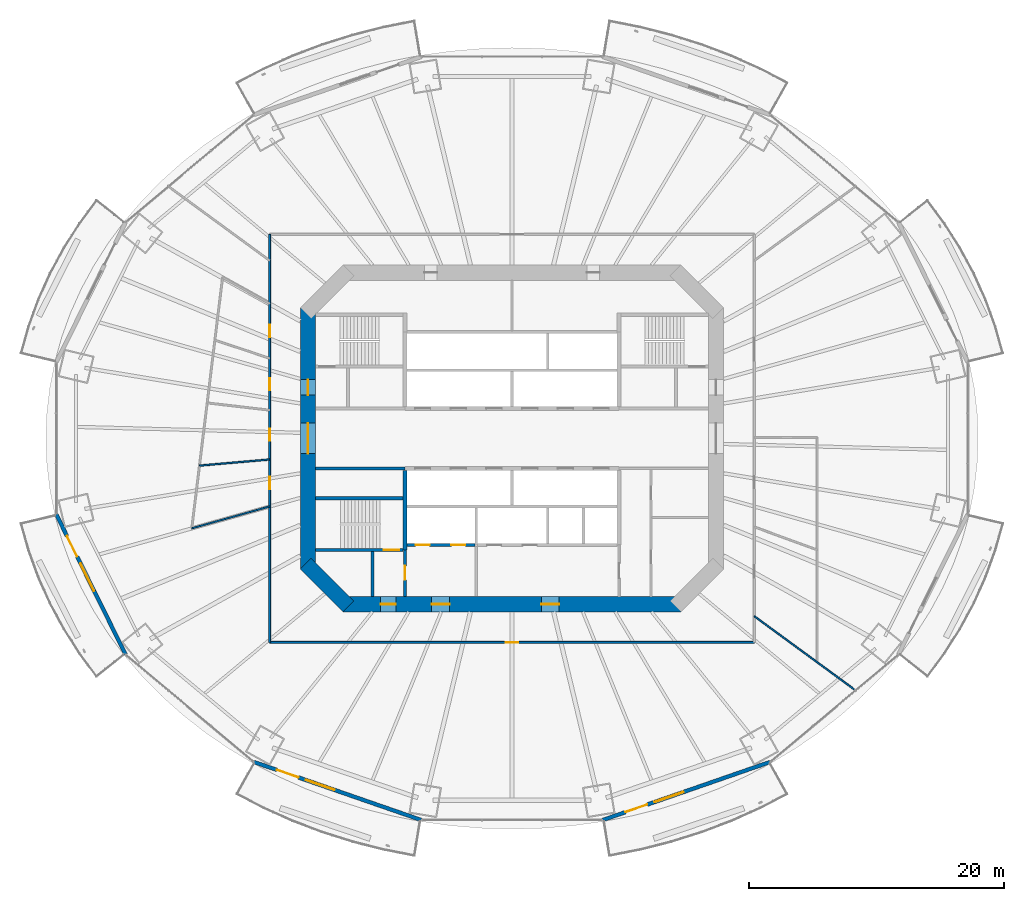
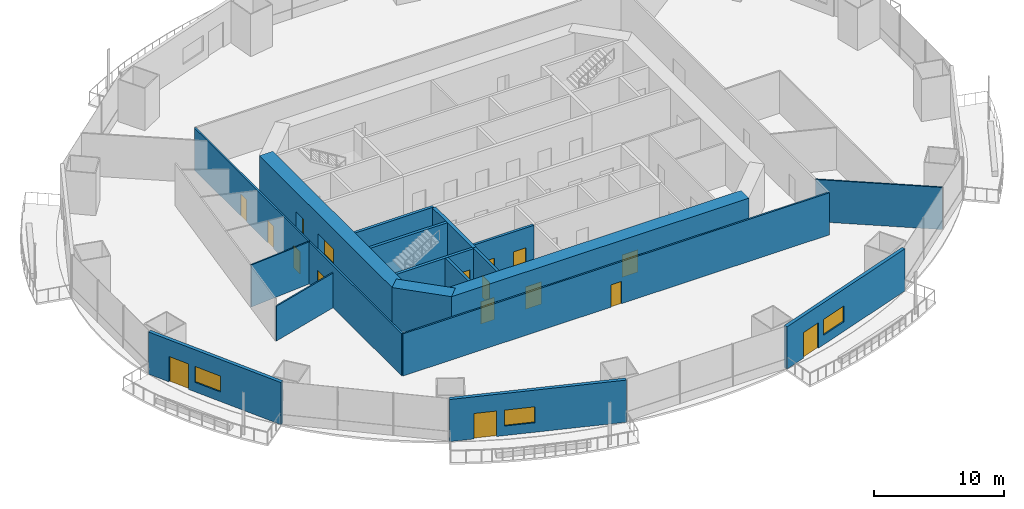
# One storey, part 14 of 23: 18 walls, 17 doors, 3 windows, 20 openings.
"""IFC4 building model written with IfcOpenShell, lengths in metres."""

from ifc_helpers import new_model, si_unit, direction, frame, frame_2d, origin, place, context, subcontext, project, spatial, rectangle, extrude, material, layer, layer_set, type_object, element, fill, save


model = new_model("IFC4")

# Units and contexts
model_context = context("Model", 3, precision=1e-05, world=origin(), true_north=direction((0.0, 1.0)))
body_context = subcontext(model_context, "Body", "Model", "MODEL_VIEW")
ifc_project = project(units=[si_unit("LENGTHUNIT", "METRE"), si_unit("AREAUNIT", "SQUARE_METRE"), si_unit("VOLUMEUNIT", "CUBIC_METRE"), si_unit("PLANEANGLEUNIT", "RADIAN"), si_unit("MASSUNIT", "GRAM", prefix="KILO")], contexts=[model_context])

# Site, building, storey
site_placement = place(None, origin())
site = spatial("IfcSite", under=ifc_project, at=site_placement, CompositionType="ELEMENT")
building_placement = place(site_placement, origin())
building = spatial("IfcBuilding", under=site, at=building_placement, Name="Marenthal Gate Tower", CompositionType="ELEMENT")
storey_placement = place(building_placement, frame((0.0, 0.0, 49.60009765625)))
storey = spatial("IfcBuildingStorey", under=building, at=storey_placement, Name="L08", CompositionType="ELEMENT", Elevation=49.60009765625)

# Wall, openings, doors
ifc_material_1 = material(Name="Concrete 60 MPa", Category="concrete")
ifc_layer_1 = layer(ifc_material_1, 1.199951171875)
ifc_layer_set_1 = layer_set([ifc_layer_1], Name="Core shear wall 1200")
wall_type_1 = type_object("IfcWallType", Name="Core shear wall 1200", PredefinedType="SHEAR", material=ifc_layer_set_1)
wall_1_placement = place(storey_placement, frame((-16.0, 10.24853515625, -0.18017578125), z_axis=(0.0, 0.0, 1.0), x_axis=(0.0, -1.0, 0.0)))
wall_1 = element("IfcWall", 1, at=wall_1_placement, inside=storey, type_object=wall_type_1, Name="Core wall 06", PredefinedType="SHEAR", context=body_context, shape_type="SweptSolid", body=[
    extrude(rectangle(XDim=20.4970703125, YDim=1.199951171875, at=frame_2d((10.24853515625, 0.0))), origin(), (0.0, 0.0, 1.0), 4.150146484375),
])
opening_1_placement = place(wall_1_placement, frame((9.048583984375, 0.0, 0.179931640625)))
opening_1 = element("IfcOpeningElement", 2, at=opening_1_placement, cuts=wall_1, Name="Opening D003.01", PredefinedType="OPENING", context=body_context, shape_type="SweptSolid", body=[
    extrude(rectangle(XDim=2.39990234375, YDim=2.10009765625, at=frame_2d((1.199951171875, 1.050048828125))), frame((0.0, 0.60986328125, 0.0), z_axis=(0.0, -1.0, 0.0), x_axis=(1.0, 0.0, 0.0)), (0.0, 0.0, 1.0), 1.219970703125),
])
opening_2_placement = place(wall_1_placement, frame((5.6484375, 0.0, 0.179931640625)))
opening_2 = element("IfcOpeningElement", 3, at=opening_2_placement, cuts=wall_1, Name="Opening D001.04", PredefinedType="OPENING", context=body_context, shape_type="SweptSolid", body=[
    extrude(rectangle(XDim=1.199951171875, YDim=2.10009765625, at=frame_2d((0.60009765625, 1.050048828125))), frame((0.0, 0.60986328125, 0.0), z_axis=(0.0, -1.0, 0.0), x_axis=(1.0, 0.0, 0.0)), (0.0, 0.0, 1.0), 1.219970703125),
])
ifc_material_2 = material(Name="Steel fire door", Category="steel")
door_type_1 = type_object("IfcDoorType", Name="Double fire door FD 45 2400 x 2100", OperationType="DOUBLE_DOOR_SINGLE_SWING", PredefinedType="DOOR", material=ifc_material_2)
door_1_placement = place(opening_1_placement, origin())
door_1 = element("IfcDoor", 4, at=door_1_placement, inside=storey, type_object=door_type_1, Name="Door D003.01", OperationType="DOUBLE_DOOR_SINGLE_SWING", OverallHeight=2.10009765625, OverallWidth=2.39990234375, PredefinedType="DOOR", context=body_context, shape_type="SweptSolid", body=[
    extrude(rectangle(XDim=2.39990234375, YDim=2.10009765625, at=frame_2d((1.199951171875, 1.050048828125))), frame((0.0, 0.02490234375, 0.0), z_axis=(0.0, -1.0, 0.0), x_axis=(1.0, 0.0, 0.0)), (0.0, 0.0, 1.0), 0.050048828125),
])
fill(opening_1, door_1)
ifc_material_3 = material(Name="Steel fire door", Category="steel")
door_type_2 = type_object("IfcDoorType", Name="Fire door FD 90 1200 x 2100", OperationType="NOTDEFINED", PredefinedType="DOOR", material=ifc_material_3)
door_2_placement = place(opening_2_placement, origin())
door_2 = element("IfcDoor", 5, at=door_2_placement, inside=storey, type_object=door_type_2, Name="Door D001.04", OperationType="SINGLE_SWING_RIGHT", OverallHeight=2.10009765625, OverallWidth=1.199951171875, PredefinedType="DOOR", context=body_context, shape_type="SweptSolid", body=[
    extrude(rectangle(XDim=1.199951171875, YDim=2.10009765625, at=frame_2d((0.60009765625, 1.050048828125))), frame((0.0, 0.02490234375, 0.0), z_axis=(0.0, -1.0, 0.0), x_axis=(1.0, 0.0, 0.0)), (0.0, 0.0, 1.0), 0.050048828125),
])
fill(opening_2, door_2)

# Wall
wall_2_placement = place(storey_placement, frame((-16.17578125, -9.82421875, -0.18017578125), z_axis=(0.0, 0.0, 1.0), x_axis=(0.707106781187, -0.707106781187, 0.0)))
element("IfcWall", 6, at=wall_2_placement, inside=storey, type_object=wall_type_1, Name="Core wall 07", PredefinedType="SHEAR", context=body_context, shape_type="SweptSolid", body=[
    extrude(rectangle(XDim=4.73974609375, YDim=1.199951171875, at=frame_2d((2.369873046875, 0.0))), origin(), (0.0, 0.0, 1.0), 4.150146484375),
])

# Wall, openings, doors
wall_3_placement = place(storey_placement, frame((-13.24853515625, -13.0, -0.18017578125), z_axis=(0.0, 0.0, 1.0), x_axis=(1.0, 0.0, 0.0)))
wall_3 = element("IfcWall", 7, at=wall_3_placement, inside=storey, type_object=wall_type_1, Name="Core wall 08", PredefinedType="SHEAR", context=body_context, shape_type="SweptSolid", body=[
    extrude(rectangle(XDim=26.4970703125, YDim=1.199951171875, at=frame_2d((13.24853515625, 0.0))), origin(), (0.0, 0.0, 1.0), 4.150146484375),
])
opening_3_placement = place(wall_3_placement, frame((2.948486328125, 0.0, 0.179931640625)))
opening_3 = element("IfcOpeningElement", 8, at=opening_3_placement, cuts=wall_3, Name="Opening D001.06", PredefinedType="OPENING", context=body_context, shape_type="SweptSolid", body=[
    extrude(rectangle(XDim=1.199951171875, YDim=2.10009765625, at=frame_2d((0.60009765625, 1.050048828125))), frame((0.0, 0.60986328125, 0.0), z_axis=(0.0, -1.0, 0.0), x_axis=(1.0, 0.0, 0.0)), (0.0, 0.0, 1.0), 1.219970703125),
])
opening_4_placement = place(wall_3_placement, frame((6.948486328125, 0.0, 0.179931640625)))
opening_4 = element("IfcOpeningElement", 9, at=opening_4_placement, cuts=wall_3, Name="Opening D004.01", PredefinedType="OPENING", context=body_context, shape_type="SweptSolid", body=[
    extrude(rectangle(XDim=1.39990234375, YDim=2.10009765625, at=frame_2d((0.699951171875, 1.050048828125))), frame((0.0, 0.60986328125, 0.0), z_axis=(0.0, -1.0, 0.0), x_axis=(1.0, 0.0, 0.0)), (0.0, 0.0, 1.0), 1.219970703125),
])
opening_5_placement = place(wall_3_placement, frame((15.548583984375, 0.0, 0.179931640625)))
opening_5 = element("IfcOpeningElement", 10, at=opening_5_placement, cuts=wall_3, Name="Opening D004.02", PredefinedType="OPENING", context=body_context, shape_type="SweptSolid", body=[
    extrude(rectangle(XDim=1.39990234375, YDim=2.10009765625, at=frame_2d((0.699951171875, 1.050048828125))), frame((0.0, 0.60986328125, 0.0), z_axis=(0.0, -1.0, 0.0), x_axis=(1.0, 0.0, 0.0)), (0.0, 0.0, 1.0), 1.219970703125),
])
ifc_material_4 = material(Name="Steel fire door", Category="steel")
door_type_3 = type_object("IfcDoorType", Name="Fire door FD 45 1400 x 2100", OperationType="NOTDEFINED", PredefinedType="DOOR", material=ifc_material_4)
door_3_placement = place(opening_4_placement, origin())
door_3 = element("IfcDoor", 11, at=door_3_placement, inside=storey, type_object=door_type_3, Name="Door D004.01", OperationType="SINGLE_SWING_RIGHT", OverallHeight=2.10009765625, OverallWidth=1.39990234375, PredefinedType="DOOR", context=body_context, shape_type="SweptSolid", body=[
    extrude(rectangle(XDim=1.39990234375, YDim=2.10009765625, at=frame_2d((0.699951171875, 1.050048828125))), frame((0.0, 0.02490234375, 0.0), z_axis=(0.0, -1.0, 0.0), x_axis=(1.0, 0.0, 0.0)), (0.0, 0.0, 1.0), 0.050048828125),
])
fill(opening_4, door_3)
door_4_placement = place(opening_5_placement, origin())
door_4 = element("IfcDoor", 12, at=door_4_placement, inside=storey, type_object=door_type_3, Name="Door D004.02", OperationType="SINGLE_SWING_RIGHT", OverallHeight=2.10009765625, OverallWidth=1.39990234375, PredefinedType="DOOR", context=body_context, shape_type="SweptSolid", body=[
    extrude(rectangle(XDim=1.39990234375, YDim=2.10009765625, at=frame_2d((0.699951171875, 1.050048828125))), frame((0.0, 0.02490234375, 0.0), z_axis=(0.0, -1.0, 0.0), x_axis=(1.0, 0.0, 0.0)), (0.0, 0.0, 1.0), 0.050048828125),
])
fill(opening_5, door_4)
door_5_placement = place(opening_3_placement, origin())
door_5 = element("IfcDoor", 13, at=door_5_placement, inside=storey, type_object=door_type_2, Name="Door D001.06", OperationType="SINGLE_SWING_RIGHT", OverallHeight=2.10009765625, OverallWidth=1.199951171875, PredefinedType="DOOR", context=body_context, shape_type="SweptSolid", body=[
    extrude(rectangle(XDim=1.199951171875, YDim=2.10009765625, at=frame_2d((0.60009765625, 1.050048828125))), frame((0.0, 0.02490234375, 0.0), z_axis=(0.0, -1.0, 0.0), x_axis=(1.0, 0.0, 0.0)), (0.0, 0.0, 1.0), 0.050048828125),
])
fill(opening_3, door_5)

# Wall
ifc_material_5 = material(Name="Concrete 50 MPa", Category="concrete")
ifc_layer_2 = layer(ifc_material_5, 0.300048828125)
ifc_layer_set_2 = layer_set([ifc_layer_2], Name="Hoistway shear wall 300")
wall_type_2 = type_object("IfcWallType", Name="Hoistway shear wall 300", PredefinedType="SHEAR", material=ifc_layer_set_2)
wall_4_placement = place(storey_placement, frame((-8.39990234375, -8.75, -0.18017578125), z_axis=(0.0, 0.0, 1.0), x_axis=(0.0, 1.0, 0.0)))
element("IfcWall", 14, at=wall_4_placement, inside=storey, type_object=wall_type_2, Name="Hoistway wall 30", PredefinedType="SHEAR", context=body_context, shape_type="SweptSolid", body=[
    extrude(rectangle(XDim=6.25, YDim=0.300048828125, at=frame_2d((3.125, 0.0))), origin(), (0.0, 0.0, 1.0), 4.150146484375),
])

# Wall, openings, doors
ifc_material_6 = material(Name="Concrete 40 MPa", Category="concrete")
ifc_layer_3 = layer(ifc_material_6, 0.219970703125)
ifc_layer_set_3 = layer_set([ifc_layer_3], Name="Hoistway wall 220")
wall_type_3 = type_object("IfcWallType", Name="Hoistway wall 220", PredefinedType="STANDARD", material=ifc_layer_set_3)
wall_5_placement = place(storey_placement, frame((-8.25, -8.35009765625, 0.0), z_axis=(0.0, 0.0, 1.0), x_axis=(1.0, 0.0, 0.0)))
wall_5 = element("IfcWall", 15, at=wall_5_placement, inside=storey, type_object=wall_type_3, Name="Hoistway wall 10", PredefinedType="STANDARD", context=body_context, shape_type="SweptSolid", body=[
    extrude(rectangle(XDim=5.340087890625, YDim=0.219970703125, at=frame_2d((2.669921875, 0.0))), origin(), (0.0, 0.0, 1.0), 3.969970703125),
])
opening_6_placement = place(wall_5_placement, frame((0.699951171875, 0.0, 0.0)))
opening_6 = element("IfcOpeningElement", 16, at=opening_6_placement, cuts=wall_5, Name="Opening LD-LF1", PredefinedType="OPENING", context=body_context, shape_type="SweptSolid", body=[
    extrude(rectangle(XDim=1.10009765625, YDim=2.10009765625, at=frame_2d((0.550048828125, 1.050048828125))), frame((0.0, 0.1201171875, 0.0), z_axis=(0.0, -1.0, 0.0), x_axis=(1.0, 0.0, 0.0)), (0.0, 0.0, 1.0), 0.239990234375),
])
opening_7_placement = place(wall_5_placement, frame((3.5, 0.0, 0.0)))
opening_7 = element("IfcOpeningElement", 17, at=opening_7_placement, cuts=wall_5, Name="Opening LD-LF2", PredefinedType="OPENING", context=body_context, shape_type="SweptSolid", body=[
    extrude(rectangle(XDim=1.10009765625, YDim=2.10009765625, at=frame_2d((0.550048828125, 1.050048828125))), frame((0.0, 0.1201171875, 0.0), z_axis=(0.0, -1.0, 0.0), x_axis=(1.0, 0.0, 0.0)), (0.0, 0.0, 1.0), 0.239990234375),
])
ifc_material_7 = material(Name="Stainless steel sliding door", Category="steel")
door_type_4 = type_object("IfcDoorType", Name="Lift landing door FD 90 1100 x 2100", OperationType="DOUBLE_DOOR_SLIDING", PredefinedType="DOOR", material=ifc_material_7)
door_6_placement = place(opening_6_placement, origin())
door_6 = element("IfcDoor", 18, at=door_6_placement, inside=storey, type_object=door_type_4, Name="Lift landing door LF1", OperationType="DOUBLE_DOOR_SLIDING", OverallHeight=2.10009765625, OverallWidth=1.10009765625, PredefinedType="DOOR", context=body_context, shape_type="SweptSolid", body=[
    extrude(rectangle(XDim=1.10009765625, YDim=2.10009765625, at=frame_2d((0.550048828125, 1.050048828125))), frame((0.0, 0.02490234375, 0.0), z_axis=(0.0, -1.0, 0.0), x_axis=(1.0, 0.0, 0.0)), (0.0, 0.0, 1.0), 0.050048828125),
])
fill(opening_6, door_6)
door_7_placement = place(opening_7_placement, origin())
door_7 = element("IfcDoor", 19, at=door_7_placement, inside=storey, type_object=door_type_4, Name="Lift landing door LF2", OperationType="DOUBLE_DOOR_SLIDING", OverallHeight=2.10009765625, OverallWidth=1.10009765625, PredefinedType="DOOR", context=body_context, shape_type="SweptSolid", body=[
    extrude(rectangle(XDim=1.10009765625, YDim=2.10009765625, at=frame_2d((0.550048828125, 1.050048828125))), frame((0.0, 0.02490234375, 0.0), z_axis=(0.0, -1.0, 0.0), x_axis=(1.0, 0.0, 0.0)), (0.0, 0.0, 1.0), 0.050048828125),
])
fill(opening_7, door_7)

# Walls
ifc_material_8 = material(Name="Gypsum board on steel studs", Category="steel")
ifc_layer_4 = layer(ifc_material_8, 0.1201171875)
ifc_layer_set_4 = layer_set([ifc_layer_4], Name="Partition 120")
wall_type_4 = type_object("IfcWallType", Name="Partition 120", PredefinedType="PARTITIONING", material=ifc_layer_set_4)
wall_6_placement = place(storey_placement, frame((-24.506103515625, -2.13427734375, 0.0), z_axis=(0.0, 0.0, 1.0), x_axis=(0.996225821909, 0.086799261298, 0.0)))
element("IfcWall", 20, at=wall_6_placement, inside=storey, type_object=wall_type_4, Name="Partition wall 47", PredefinedType="PARTITIONING", context=body_context, shape_type="SweptSolid", body=[
    extrude(rectangle(XDim=5.52685546875, YDim=0.1201171875, at=frame_2d((2.763427734375, 0.0))), origin(), (0.0, 0.0, 1.0), 3.969970703125),
])
wall_7_placement = place(storey_placement, frame((-19.0, -5.3359375, 0.0), z_axis=(0.0, 0.0, 1.0), x_axis=(-0.962746758525, -0.270404657783, 0.0)))
element("IfcWall", 21, at=wall_7_placement, inside=storey, type_object=wall_type_4, Name="Partition wall 53", PredefinedType="PARTITIONING", context=body_context, shape_type="SweptSolid", body=[
    extrude(rectangle(XDim=6.34619140625, YDim=0.1201171875, at=frame_2d((3.173095703125, 0.0))), origin(), (0.0, 0.0, 1.0), 3.27685546875),
])
wall_8_placement = place(storey_placement, frame((19.0, -13.941162109375, 0.0), z_axis=(0.0, 0.0, 1.0), x_axis=(0.806231534746, -0.591600128787, 0.0)))
element("IfcWall", 22, at=wall_8_placement, inside=storey, type_object=wall_type_4, Name="Partition wall 57", PredefinedType="PARTITIONING", context=body_context, shape_type="SweptSolid", body=[
    extrude(rectangle(XDim=9.84619140625, YDim=0.1201171875, at=frame_2d((4.923095703125, 0.0))), origin(), (0.0, 0.0, 1.0), 3.969970703125),
])

# Wall, openings, doors
ifc_material_9 = material(Name="Gypsum board on steel studs", Category="steel")
ifc_layer_5 = layer(ifc_material_9, 0.14990234375)
ifc_layer_set_5 = layer_set([ifc_layer_5], Name="Partition 150")
wall_type_5 = type_object("IfcWallType", Name="Partition 150", PredefinedType="PARTITIONING", material=ifc_layer_set_5)
wall_9_placement = place(storey_placement, frame((-19.0, -16.0, 0.0), z_axis=(0.0, 0.0, 1.0), x_axis=(0.0, 1.0, 0.0)))
wall_9 = element("IfcWall", 23, at=wall_9_placement, inside=storey, type_object=wall_type_5, Name="Partition wall 52", PredefinedType="PARTITIONING", context=body_context, shape_type="SweptSolid", body=[
    extrude(rectangle(XDim=32.0, YDim=0.14990234375, at=frame_2d((16.0, 0.0))), origin(), (0.0, 0.0, 1.0), 3.969970703125),
])
opening_8_placement = place(wall_9_placement, frame((23.947021484375, 0.0, 0.0)))
opening_8 = element("IfcOpeningElement", 24, at=opening_8_placement, cuts=wall_9, Name="Opening D016.01", PredefinedType="OPENING", context=body_context, shape_type="SweptSolid", body=[
    extrude(rectangle(XDim=0.949951171875, YDim=2.10009765625, at=frame_2d((0.47509765625, 1.050048828125))), frame((0.0, 0.0849609375, 0.0), z_axis=(0.0, -1.0, 0.0), x_axis=(1.0, 0.0, 0.0)), (0.0, 0.0, 1.0), 0.169921875),
])
opening_9_placement = place(wall_9_placement, frame((19.77099609375, 0.0, 0.0)))
opening_9 = element("IfcOpeningElement", 25, at=opening_9_placement, cuts=wall_9, Name="Opening D016.02", PredefinedType="OPENING", context=body_context, shape_type="SweptSolid", body=[
    extrude(rectangle(XDim=0.949951171875, YDim=2.10009765625, at=frame_2d((0.47509765625, 1.050048828125))), frame((0.0, 0.0849609375, 0.0), z_axis=(0.0, -1.0, 0.0), x_axis=(1.0, 0.0, 0.0)), (0.0, 0.0, 1.0), 0.169921875),
])
opening_10_placement = place(wall_9_placement, frame((15.803955078125, 0.0, 0.0)))
opening_10 = element("IfcOpeningElement", 26, at=opening_10_placement, cuts=wall_9, Name="Opening D016.03", PredefinedType="OPENING", context=body_context, shape_type="SweptSolid", body=[
    extrude(rectangle(XDim=0.949951171875, YDim=2.10009765625, at=frame_2d((0.47509765625, 1.050048828125))), frame((0.0, 0.0849609375, 0.0), z_axis=(0.0, -1.0, 0.0), x_axis=(1.0, 0.0, 0.0)), (0.0, 0.0, 1.0), 0.169921875),
])
opening_11_placement = place(wall_9_placement, frame((12.030029296875, 0.0, 0.0)))
opening_11 = element("IfcOpeningElement", 27, at=opening_11_placement, cuts=wall_9, Name="Opening D016.04", PredefinedType="OPENING", context=body_context, shape_type="SweptSolid", body=[
    extrude(rectangle(XDim=0.949951171875, YDim=2.10009765625, at=frame_2d((0.47509765625, 1.050048828125))), frame((0.0, 0.0849609375, 0.0), z_axis=(0.0, -1.0, 0.0), x_axis=(1.0, 0.0, 0.0)), (0.0, 0.0, 1.0), 0.169921875),
])
ifc_material_10 = material(Name="Timber door", Category="wood")
door_type_5 = type_object("IfcDoorType", Name="Door 950 x 2100", OperationType="NOTDEFINED", PredefinedType="DOOR", material=ifc_material_10)
door_8_placement = place(opening_8_placement, origin())
door_8 = element("IfcDoor", 28, at=door_8_placement, inside=storey, type_object=door_type_5, Name="Door D016.01", OperationType="SINGLE_SWING_RIGHT", OverallHeight=2.10009765625, OverallWidth=0.949951171875, PredefinedType="DOOR", context=body_context, shape_type="SweptSolid", body=[
    extrude(rectangle(XDim=0.949951171875, YDim=2.10009765625, at=frame_2d((0.47509765625, 1.050048828125))), frame((0.0, 0.02490234375, 0.0), z_axis=(0.0, -1.0, 0.0), x_axis=(1.0, 0.0, 0.0)), (0.0, 0.0, 1.0), 0.050048828125),
])
fill(opening_8, door_8)
door_9_placement = place(opening_9_placement, origin())
door_9 = element("IfcDoor", 29, at=door_9_placement, inside=storey, type_object=door_type_5, Name="Door D016.02", OperationType="SINGLE_SWING_RIGHT", OverallHeight=2.10009765625, OverallWidth=0.949951171875, PredefinedType="DOOR", context=body_context, shape_type="SweptSolid", body=[
    extrude(rectangle(XDim=0.949951171875, YDim=2.10009765625, at=frame_2d((0.47509765625, 1.050048828125))), frame((0.0, 0.02490234375, 0.0), z_axis=(0.0, -1.0, 0.0), x_axis=(1.0, 0.0, 0.0)), (0.0, 0.0, 1.0), 0.050048828125),
])
fill(opening_9, door_9)
door_10_placement = place(opening_10_placement, origin())
door_10 = element("IfcDoor", 30, at=door_10_placement, inside=storey, type_object=door_type_5, Name="Door D016.03", OperationType="SINGLE_SWING_RIGHT", OverallHeight=2.10009765625, OverallWidth=0.949951171875, PredefinedType="DOOR", context=body_context, shape_type="SweptSolid", body=[
    extrude(rectangle(XDim=0.949951171875, YDim=2.10009765625, at=frame_2d((0.47509765625, 1.050048828125))), frame((0.0, 0.02490234375, 0.0), z_axis=(0.0, -1.0, 0.0), x_axis=(1.0, 0.0, 0.0)), (0.0, 0.0, 1.0), 0.050048828125),
])
fill(opening_10, door_10)
door_11_placement = place(opening_11_placement, origin())
door_11 = element("IfcDoor", 31, at=door_11_placement, inside=storey, type_object=door_type_5, Name="Door D016.04", OperationType="SINGLE_SWING_RIGHT", OverallHeight=2.10009765625, OverallWidth=0.949951171875, PredefinedType="DOOR", context=body_context, shape_type="SweptSolid", body=[
    extrude(rectangle(XDim=0.949951171875, YDim=2.10009765625, at=frame_2d((0.47509765625, 1.050048828125))), frame((0.0, 0.02490234375, 0.0), z_axis=(0.0, -1.0, 0.0), x_axis=(1.0, 0.0, 0.0)), (0.0, 0.0, 1.0), 0.050048828125),
])
fill(opening_11, door_11)

# Wall, opening, door
wall_10_placement = place(storey_placement, frame((19.0, -16.0, 0.0), z_axis=(0.0, 0.0, 1.0), x_axis=(-1.0, 0.0, 0.0)))
wall_10 = element("IfcWall", 32, at=wall_10_placement, inside=storey, type_object=wall_type_5, Name="Partition wall 56", PredefinedType="PARTITIONING", context=body_context, shape_type="SweptSolid", body=[
    extrude(rectangle(XDim=38.0, YDim=0.14990234375, at=frame_2d((19.0, 0.0))), origin(), (0.0, 0.0, 1.0), 3.969970703125),
])
opening_12_placement = place(wall_10_placement, frame((18.52490234375, 0.0, 0.0)))
opening_12 = element("IfcOpeningElement", 33, at=opening_12_placement, cuts=wall_10, Name="Opening D016.05", PredefinedType="OPENING", context=body_context, shape_type="SweptSolid", body=[
    extrude(rectangle(XDim=0.949951171875, YDim=2.10009765625, at=frame_2d((0.47509765625, 1.050048828125))), frame((0.0, 0.0849609375, 0.0), z_axis=(0.0, -1.0, 0.0), x_axis=(1.0, 0.0, 0.0)), (0.0, 0.0, 1.0), 0.169921875),
])
door_12_placement = place(opening_12_placement, origin())
door_12 = element("IfcDoor", 34, at=door_12_placement, inside=storey, type_object=door_type_5, Name="Door D016.05", OperationType="SINGLE_SWING_RIGHT", OverallHeight=2.10009765625, OverallWidth=0.949951171875, PredefinedType="DOOR", context=body_context, shape_type="SweptSolid", body=[
    extrude(rectangle(XDim=0.949951171875, YDim=2.10009765625, at=frame_2d((0.47509765625, 1.050048828125))), frame((0.0, 0.02490234375, 0.0), z_axis=(0.0, -1.0, 0.0), x_axis=(1.0, 0.0, 0.0)), (0.0, 0.0, 1.0), 0.050048828125),
])
fill(opening_12, door_12)

# Walls
ifc_material_11 = material(Name="Concrete 40 MPa", Category="concrete")
ifc_layer_6 = layer(ifc_material_11, 0.25)
ifc_layer_set_6 = layer_set([ifc_layer_6], Name="Stair enclosure wall 250")
wall_type_6 = type_object("IfcWallType", Name="Stair enclosure wall 250", PredefinedType="STANDARD", material=ifc_layer_set_6)
wall_11_placement = place(storey_placement, frame((-15.39990234375, -2.35009765625, 0.0), z_axis=(0.0, 0.0, 1.0), x_axis=(1.0, 0.0, 0.0)))
element("IfcWall", 35, at=wall_11_placement, inside=storey, type_object=wall_type_6, Name="Stair wall 15", PredefinedType="STANDARD", context=body_context, shape_type="SweptSolid", body=[
    extrude(rectangle(XDim=7.0, YDim=0.25, at=frame_2d((3.5, 0.0))), origin(), (0.0, 0.0, 1.0), 3.969970703125),
])
wall_12_placement = place(storey_placement, frame((-10.949951171875, -12.39990234375, 0.0), z_axis=(0.0, 0.0, 1.0), x_axis=(0.0, 1.0, 0.0)))
element("IfcWall", 36, at=wall_12_placement, inside=storey, type_object=wall_type_6, Name="Stair wall 28", PredefinedType="STANDARD", context=body_context, shape_type="SweptSolid", body=[
    extrude(rectangle(XDim=3.52490234375, YDim=0.25, at=frame_2d((1.762451171875, 0.0))), origin(), (0.0, 0.0, 1.0), 3.969970703125),
])

# Wall, opening, door
wall_13_placement = place(storey_placement, frame((-8.39990234375, -12.39990234375, 0.0), z_axis=(0.0, 0.0, 1.0), x_axis=(0.0, 1.0, 0.0)))
wall_13 = element("IfcWall", 37, at=wall_13_placement, inside=storey, type_object=wall_type_6, Name="Stair wall 29", PredefinedType="STANDARD", context=body_context, shape_type="SweptSolid", body=[
    extrude(rectangle(XDim=3.64990234375, YDim=0.25, at=frame_2d((1.824951171875, 0.0))), origin(), (0.0, 0.0, 1.0), 3.969970703125),
])
opening_13_placement = place(wall_13_placement, frame((1.300048828125, 0.0, 0.0)))
opening_13 = element("IfcOpeningElement", 38, at=opening_13_placement, cuts=wall_13, Name="Opening D002.01", PredefinedType="OPENING", context=body_context, shape_type="SweptSolid", body=[
    extrude(rectangle(XDim=1.10009765625, YDim=2.10009765625, at=frame_2d((0.550048828125, 1.050048828125))), frame((0.0, 0.135009765625, 0.0), z_axis=(0.0, -1.0, 0.0), x_axis=(1.0, 0.0, 0.0)), (0.0, 0.0, 1.0), 0.27001953125),
])
ifc_material_12 = material(Name="Steel fire door", Category="steel")
door_type_6 = type_object("IfcDoorType", Name="Fire door FD 90 1100 x 2100", OperationType="NOTDEFINED", PredefinedType="DOOR", material=ifc_material_12)
door_13_placement = place(opening_13_placement, origin())
door_13 = element("IfcDoor", 39, at=door_13_placement, inside=storey, type_object=door_type_6, Name="Door D002.01", OperationType="SINGLE_SWING_RIGHT", OverallHeight=2.10009765625, OverallWidth=1.10009765625, PredefinedType="DOOR", context=body_context, shape_type="SweptSolid", body=[
    extrude(rectangle(XDim=1.10009765625, YDim=2.10009765625, at=frame_2d((0.550048828125, 1.050048828125))), frame((0.0, 0.02490234375, 0.0), z_axis=(0.0, -1.0, 0.0), x_axis=(1.0, 0.0, 0.0)), (0.0, 0.0, 1.0), 0.050048828125),
])
fill(opening_13, door_13)

ifc_material_13 = material(Name="Concrete 50 MPa", Category="concrete")
ifc_layer_7 = layer(ifc_material_13, 0.25)
ifc_layer_set_7 = layer_set([ifc_layer_7], Name="Stair shear wall 250")
wall_type_7 = type_object("IfcWallType", Name="Stair shear wall 250", PredefinedType="SHEAR", material=ifc_layer_set_7)
wall_14_placement = place(storey_placement, frame((-15.39990234375, -8.75, -0.18017578125), z_axis=(0.0, 0.0, 1.0), x_axis=(1.0, 0.0, 0.0)))
wall_14 = element("IfcWall", 40, at=wall_14_placement, inside=storey, type_object=wall_type_7, Name="Stair wall 09", PredefinedType="SHEAR", context=body_context, shape_type="SweptSolid", body=[
    extrude(rectangle(XDim=6.849853515625, YDim=0.25, at=frame_2d((3.4248046875, 0.0))), origin(), (0.0, 0.0, 1.0), 4.150146484375),
])
opening_14_placement = place(wall_14_placement, frame((5.35009765625, 0.0, 0.179931640625)))
opening_14 = element("IfcOpeningElement", 41, at=opening_14_placement, cuts=wall_14, Name="Opening D001.03", PredefinedType="OPENING", context=body_context, shape_type="SweptSolid", body=[
    extrude(rectangle(XDim=1.199951171875, YDim=2.10009765625, at=frame_2d((0.60009765625, 1.050048828125))), frame((0.0, 0.135009765625, 0.0), z_axis=(0.0, -1.0, 0.0), x_axis=(1.0, 0.0, 0.0)), (0.0, 0.0, 1.0), 0.27001953125),
])
door_14_placement = place(opening_14_placement, origin())
door_14 = element("IfcDoor", 42, at=door_14_placement, inside=storey, type_object=door_type_2, Name="Door D001.03", OperationType="SINGLE_SWING_RIGHT", OverallHeight=2.10009765625, OverallWidth=1.199951171875, PredefinedType="DOOR", context=body_context, shape_type="SweptSolid", body=[
    extrude(rectangle(XDim=1.199951171875, YDim=2.10009765625, at=frame_2d((0.60009765625, 1.050048828125))), frame((0.0, 0.02490234375, 0.0), z_axis=(0.0, -1.0, 0.0), x_axis=(1.0, 0.0, 0.0)), (0.0, 0.0, 1.0), 0.050048828125),
])
fill(opening_14, door_14)

# Wall
wall_15_placement = place(storey_placement, frame((-15.39990234375, -4.699951171875, -0.18017578125), z_axis=(0.0, 0.0, 1.0), x_axis=(1.0, 0.0, 0.0)))
element("IfcWall", 43, at=wall_15_placement, inside=storey, type_object=wall_type_7, Name="Stair wall 14", PredefinedType="SHEAR", context=body_context, shape_type="SweptSolid", body=[
    extrude(rectangle(XDim=6.849853515625, YDim=0.25, at=frame_2d((3.4248046875, 0.0))), origin(), (0.0, 0.0, 1.0), 4.150146484375),
])

# Wall, openings, door, window
ifc_material_14 = material(Name="Terracotta cladding on insulated concrete-block backing", Category="masonry")
ifc_layer_8 = layer(ifc_material_14, 0.300048828125)
ifc_layer_set_8 = layer_set([ifc_layer_8], Name="Terracotta facade wall 300")
wall_type_8 = type_object("IfcWallType", Name="Terracotta facade wall 300", PredefinedType="SOLIDWALL", material=ifc_layer_set_8)
wall_16_placement = place(storey_placement, frame((-35.73779296875, -5.953125, 0.0), z_axis=(0.0, 0.0, 1.0), x_axis=(0.443341984676, -0.89635254483, 0.0)))
wall_16 = element("IfcWall", 44, at=wall_16_placement, inside=storey, type_object=wall_type_8, Name="Terracotta facade wall L08 bay 9", PredefinedType="SOLIDWALL", context=body_context, shape_type="SweptSolid", body=[
    extrude(rectangle(XDim=12.27197265625, YDim=0.300048828125, at=frame_2d((6.135986328125, 0.0))), origin(), (0.0, 0.0, 1.0), 3.969970703125),
])
opening_15_placement = place(wall_16_placement, frame((1.89990234375, 0.0, 0.0)))
opening_15 = element("IfcOpeningElement", 45, at=opening_15_placement, cuts=wall_16, Name="Opening BD-L08-09", PredefinedType="OPENING", context=body_context, shape_type="SweptSolid", body=[
    extrude(rectangle(XDim=1.800048828125, YDim=2.39990234375, at=frame_2d((0.89990234375, 1.199951171875))), frame((0.0, 0.16015625, 0.0), z_axis=(0.0, -1.0, 0.0), x_axis=(1.0, 0.0, 0.0)), (0.0, 0.0, 1.0), 0.320068359375),
])
opening_16_placement = place(wall_16_placement, frame((4.300048828125, 0.0, 0.89990234375)))
opening_16 = element("IfcOpeningElement", 46, at=opening_16_placement, cuts=wall_16, Name="Opening WN1-L08-09", PredefinedType="OPENING", context=body_context, shape_type="SweptSolid", body=[
    extrude(rectangle(XDim=2.39990234375, YDim=1.5, at=frame_2d((1.199951171875, 0.75))), frame((0.0, 0.16015625, 0.0), z_axis=(0.0, -1.0, 0.0), x_axis=(1.0, 0.0, 0.0)), (0.0, 0.0, 1.0), 0.320068359375),
])
ifc_material_15 = material(Name="Aluminium and glass", Category="aluminium")
door_type_7 = type_object("IfcDoorType", Name="Balcony door 1800x2400", OperationType="DOUBLE_DOOR_SINGLE_SWING", PredefinedType="DOOR", material=ifc_material_15)
door_15_placement = place(opening_15_placement, origin())
door_15 = element("IfcDoor", 47, at=door_15_placement, inside=storey, type_object=door_type_7, Name="Balcony door L08 bay 9", OperationType="SINGLE_SWING_LEFT", OverallHeight=2.39990234375, OverallWidth=1.800048828125, PredefinedType="DOOR", context=body_context, shape_type="SweptSolid", body=[
    extrude(rectangle(XDim=1.800048828125, YDim=2.39990234375, at=frame_2d((0.89990234375, 1.199951171875))), frame((0.0, 0.02490234375, 0.0), z_axis=(0.0, -1.0, 0.0), x_axis=(1.0, 0.0, 0.0)), (0.0, 0.0, 1.0), 0.050048828125),
])
fill(opening_15, door_15)
ifc_material_16 = material(Name="Aluminium and glass", Category="aluminium")
window_type = type_object("IfcWindowType", Name="Window 2400x1500", PartitioningType="TRIPLE_PANEL_VERTICAL", PredefinedType="WINDOW", material=ifc_material_16)
window_1_placement = place(opening_16_placement, origin())
window_1 = element("IfcWindow", 48, at=window_1_placement, inside=storey, type_object=window_type, Name="Window L08 bay 9", OverallHeight=1.5, OverallWidth=2.39990234375, PartitioningType="SINGLE_PANEL", PredefinedType="WINDOW", context=body_context, shape_type="SweptSolid", body=[
    extrude(rectangle(XDim=2.39990234375, YDim=1.5, at=frame_2d((1.199951171875, 0.75))), frame((0.0, 0.030029296875, 0.0), z_axis=(0.0, -1.0, 0.0), x_axis=(1.0, 0.0, 0.0)), (0.0, 0.0, 1.0), 0.06005859375),
])
fill(opening_16, window_1)

wall_17_placement = place(storey_placement, frame((-20.243896484375, -25.372314453125, 0.0), z_axis=(0.0, 0.0, 1.0), x_axis=(0.944772924092, -0.327725680873, 0.0)))
wall_17 = element("IfcWall", 49, at=wall_17_placement, inside=storey, type_object=wall_type_8, Name="Terracotta facade wall L08 bay 11", PredefinedType="SOLIDWALL", context=body_context, shape_type="SweptSolid", body=[
    extrude(rectangle(XDim=13.903076171875, YDim=0.300048828125, at=frame_2d((6.95166015625, 0.0))), origin(), (0.0, 0.0, 1.0), 3.969970703125),
])
opening_17_placement = place(wall_17_placement, frame((1.89990234375, 0.0, 0.0)))
opening_17 = element("IfcOpeningElement", 50, at=opening_17_placement, cuts=wall_17, Name="Opening BD-L08-11", PredefinedType="OPENING", context=body_context, shape_type="SweptSolid", body=[
    extrude(rectangle(XDim=1.800048828125, YDim=2.39990234375, at=frame_2d((0.89990234375, 1.199951171875))), frame((0.0, 0.16015625, 0.0), z_axis=(0.0, -1.0, 0.0), x_axis=(1.0, 0.0, 0.0)), (0.0, 0.0, 1.0), 0.320068359375),
])
opening_18_placement = place(wall_17_placement, frame((4.300048828125, 0.0, 0.89990234375)))
opening_18 = element("IfcOpeningElement", 51, at=opening_18_placement, cuts=wall_17, Name="Opening WN1-L08-11", PredefinedType="OPENING", context=body_context, shape_type="SweptSolid", body=[
    extrude(rectangle(XDim=2.39990234375, YDim=1.5, at=frame_2d((1.199951171875, 0.75))), frame((0.0, 0.16015625, 0.0), z_axis=(0.0, -1.0, 0.0), x_axis=(1.0, 0.0, 0.0)), (0.0, 0.0, 1.0), 0.320068359375),
])
door_16_placement = place(opening_17_placement, origin())
door_16 = element("IfcDoor", 52, at=door_16_placement, inside=storey, type_object=door_type_7, Name="Balcony door L08 bay 11", OperationType="SINGLE_SWING_LEFT", OverallHeight=2.39990234375, OverallWidth=1.800048828125, PredefinedType="DOOR", context=body_context, shape_type="SweptSolid", body=[
    extrude(rectangle(XDim=1.800048828125, YDim=2.39990234375, at=frame_2d((0.89990234375, 1.199951171875))), frame((0.0, 0.02490234375, 0.0), z_axis=(0.0, -1.0, 0.0), x_axis=(1.0, 0.0, 0.0)), (0.0, 0.0, 1.0), 0.050048828125),
])
fill(opening_17, door_16)
window_2_placement = place(opening_18_placement, origin())
window_2 = element("IfcWindow", 53, at=window_2_placement, inside=storey, type_object=window_type, Name="Window L08 bay 11", OverallHeight=1.5, OverallWidth=2.39990234375, PartitioningType="SINGLE_PANEL", PredefinedType="WINDOW", context=body_context, shape_type="SweptSolid", body=[
    extrude(rectangle(XDim=2.39990234375, YDim=1.5, at=frame_2d((1.199951171875, 0.75))), frame((0.0, 0.030029296875, 0.0), z_axis=(0.0, -1.0, 0.0), x_axis=(1.0, 0.0, 0.0)), (0.0, 0.0, 1.0), 0.06005859375),
])
fill(opening_18, window_2)

wall_18_placement = place(storey_placement, frame((7.108642578125, -29.9287109375, 0.0), z_axis=(0.0, 0.0, 1.0), x_axis=(0.944772924092, 0.327725680873, 0.0)))
wall_18 = element("IfcWall", 54, at=wall_18_placement, inside=storey, type_object=wall_type_8, Name="Terracotta facade wall L08 bay 13", PredefinedType="SOLIDWALL", context=body_context, shape_type="SweptSolid", body=[
    extrude(rectangle(XDim=13.903076171875, YDim=0.300048828125, at=frame_2d((6.95166015625, 0.0))), origin(), (0.0, 0.0, 1.0), 3.969970703125),
])
opening_19_placement = place(wall_18_placement, frame((1.89990234375, 0.0, 0.0)))
opening_19 = element("IfcOpeningElement", 55, at=opening_19_placement, cuts=wall_18, Name="Opening BD-L08-13", PredefinedType="OPENING", context=body_context, shape_type="SweptSolid", body=[
    extrude(rectangle(XDim=1.800048828125, YDim=2.39990234375, at=frame_2d((0.89990234375, 1.199951171875))), frame((0.0, 0.16015625, 0.0), z_axis=(0.0, -1.0, 0.0), x_axis=(1.0, 0.0, 0.0)), (0.0, 0.0, 1.0), 0.320068359375),
])
opening_20_placement = place(wall_18_placement, frame((4.300048828125, 0.0, 0.89990234375)))
opening_20 = element("IfcOpeningElement", 56, at=opening_20_placement, cuts=wall_18, Name="Opening WN1-L08-13", PredefinedType="OPENING", context=body_context, shape_type="SweptSolid", body=[
    extrude(rectangle(XDim=2.39990234375, YDim=1.5, at=frame_2d((1.199951171875, 0.75))), frame((0.0, 0.16015625, 0.0), z_axis=(0.0, -1.0, 0.0), x_axis=(1.0, 0.0, 0.0)), (0.0, 0.0, 1.0), 0.320068359375),
])
door_17_placement = place(opening_19_placement, origin())
door_17 = element("IfcDoor", 57, at=door_17_placement, inside=storey, type_object=door_type_7, Name="Balcony door L08 bay 13", OperationType="SINGLE_SWING_LEFT", OverallHeight=2.39990234375, OverallWidth=1.800048828125, PredefinedType="DOOR", context=body_context, shape_type="SweptSolid", body=[
    extrude(rectangle(XDim=1.800048828125, YDim=2.39990234375, at=frame_2d((0.89990234375, 1.199951171875))), frame((0.0, 0.02490234375, 0.0), z_axis=(0.0, -1.0, 0.0), x_axis=(1.0, 0.0, 0.0)), (0.0, 0.0, 1.0), 0.050048828125),
])
fill(opening_19, door_17)
window_3_placement = place(opening_20_placement, origin())
window_3 = element("IfcWindow", 58, at=window_3_placement, inside=storey, type_object=window_type, Name="Window L08 bay 13", OverallHeight=1.5, OverallWidth=2.39990234375, PartitioningType="SINGLE_PANEL", PredefinedType="WINDOW", context=body_context, shape_type="SweptSolid", body=[
    extrude(rectangle(XDim=2.39990234375, YDim=1.5, at=frame_2d((1.199951171875, 0.75))), frame((0.0, 0.030029296875, 0.0), z_axis=(0.0, -1.0, 0.0), x_axis=(1.0, 0.0, 0.0)), (0.0, 0.0, 1.0), 0.06005859375),
])
fill(opening_20, window_3)

save(model, "model.ifc")
